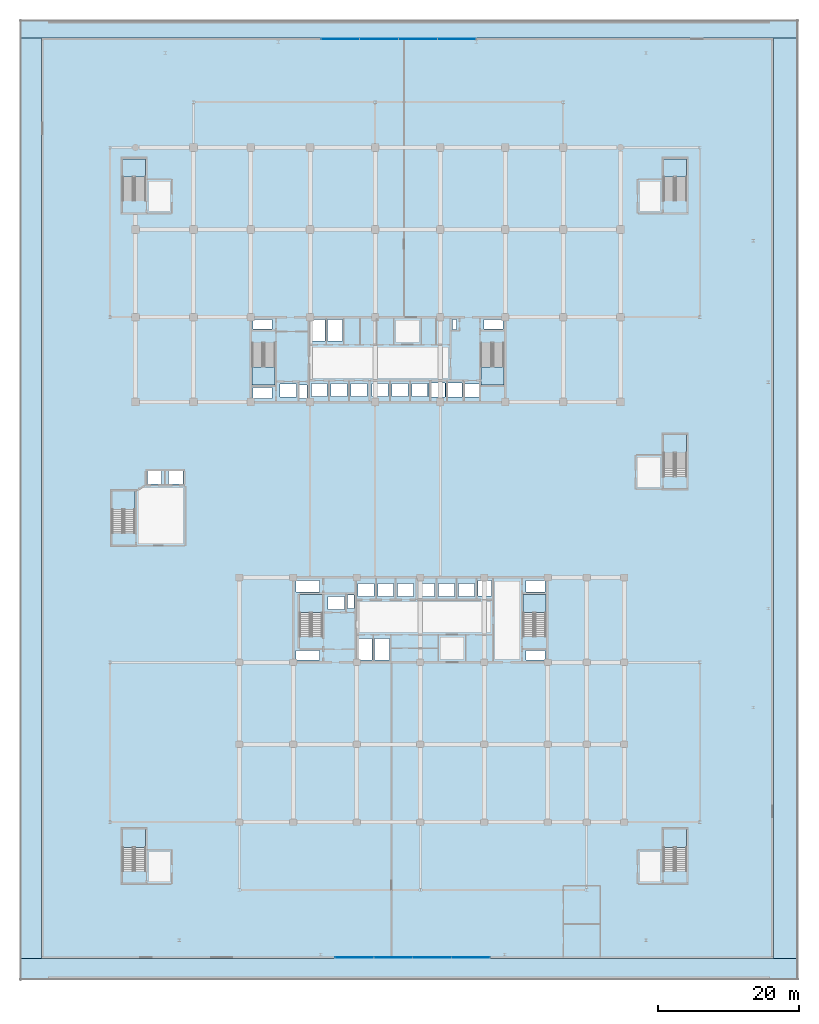
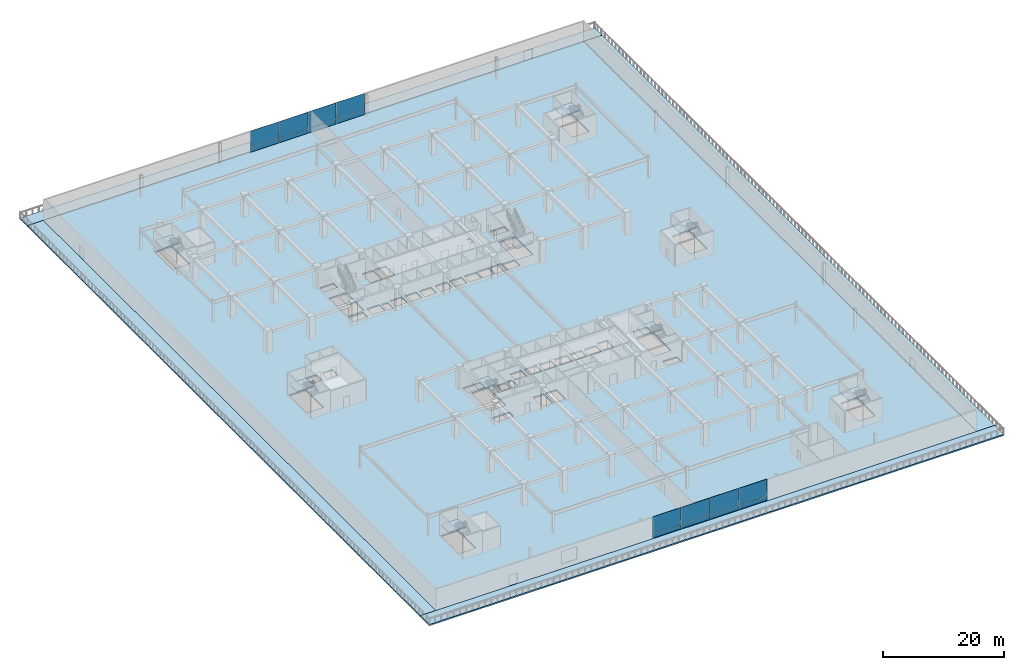
# One storey, part 17 of 45: 16 plates, 15 slabs, 12 elements without a shape of their own.
"""IFC4 building model written with IfcOpenShell, lengths in metres."""

from ifc_helpers import new_model, si_unit, direction, frame, origin, origin_2d, place, context, subcontext, project, spatial, polyline, rectangle, outline, extrude, material, layer, layer_set, type_object, element, aggregate, save


model = new_model("IFC4")

# Units and contexts
model_context = context("Model", 3, precision=1e-05, world=origin(), true_north=direction((0.0, 1.0)))
body_context = subcontext(model_context, "Body", "Model", "MODEL_VIEW")
ifc_project = project(units=[si_unit("LENGTHUNIT", "METRE"), si_unit("AREAUNIT", "SQUARE_METRE"), si_unit("VOLUMEUNIT", "CUBIC_METRE"), si_unit("PLANEANGLEUNIT", "RADIAN"), si_unit("MASSUNIT", "GRAM", prefix="KILO")], contexts=[model_context])

# Site, building, storey
site_placement = place(None, origin())
site = spatial("IfcSite", under=ifc_project, at=site_placement, CompositionType="ELEMENT")
building_placement = place(site_placement, origin())
building = spatial("IfcBuilding", under=site, at=building_placement, Name="Korimba Cascade Residences", CompositionType="ELEMENT")
storey_placement = place(building_placement, frame((0.0, 0.0, 5.39990234375)))
storey = spatial("IfcBuildingStorey", under=building, at=storey_placement, Name="L01", CompositionType="ELEMENT", Elevation=5.39990234375)

# Curtain wall, plates
ifc_material_1 = material(Name="Anodised Aluminium Curtain Wall Framing", Category="aluminium")
ifc_layer_1 = layer(ifc_material_1, 0.179931640625)
ifc_layer_set_1 = layer_set([ifc_layer_1], Name="Anodised Aluminium Curtain Wall Framing")
curtain_wall_type = type_object("IfcCurtainWallType", Name="CW-POD-SYS1", PredefinedType="NOTDEFINED", material=ifc_layer_set_1)
curtain_wall_1_placement = place(storey_placement, origin())
curtain_wall_1 = element("IfcCurtainWall", 1, at=curtain_wall_1_placement, inside=storey, type_object=curtain_wall_type, Name="L01 Curtain Wall CW-L01-POD-S", PredefinedType="NOTDEFINED")
ifc_material_2 = material(Name="Insulated Stone-Tone Spandrel Panel", Category="masonry")
ifc_layer_2 = layer(ifc_material_2, 0.0400390625)
ifc_layer_set_2 = layer_set([ifc_layer_2], Name="Insulated Stone-Tone Spandrel Panel")
plate_type_1 = type_object("IfcPlateType", Name="CWP-SPN-40", PredefinedType="USERDEFINED", material=ifc_layer_set_2)
plate_1_placement = place(storey_placement, frame((90.77001953125, -23.35009765625, 0.000244140625), z_axis=(0.0, 0.0, 1.0), x_axis=(1.0, 0.0, 0.0)))
plate_1 = element("IfcPlate", 2, at=plate_1_placement, type_object=plate_type_1, Name="CW-L01-POD-S Spandrel Panel 1", ObjectType="SPANDREL", PredefinedType="USERDEFINED", context=body_context, shape_type="SweptSolid", body=[
    extrude(rectangle(XDim=5.409912109375, YDim=0.0400390625, at=origin_2d()), origin(), (0.0, 0.0, 1.0), 0.89990234375),
])
plate_2_placement = place(storey_placement, frame((96.25, -23.35009765625, 0.000244140625), z_axis=(0.0, 0.0, 1.0), x_axis=(1.0, 0.0, 0.0)))
plate_2 = element("IfcPlate", 3, at=plate_2_placement, type_object=plate_type_1, Name="CW-L01-POD-S Spandrel Panel 2", ObjectType="SPANDREL", PredefinedType="USERDEFINED", context=body_context, shape_type="SweptSolid", body=[
    extrude(rectangle(XDim=5.449951171875, YDim=0.0400390625, at=origin_2d()), origin(), (0.0, 0.0, 1.0), 0.89990234375),
])
plate_3_placement = place(storey_placement, frame((101.75, -23.35009765625, 0.000244140625), z_axis=(0.0, 0.0, 1.0), x_axis=(1.0, 0.0, 0.0)))
plate_3 = element("IfcPlate", 4, at=plate_3_placement, type_object=plate_type_1, Name="CW-L01-POD-S Spandrel Panel 3", ObjectType="SPANDREL", PredefinedType="USERDEFINED", context=body_context, shape_type="SweptSolid", body=[
    extrude(rectangle(XDim=5.449951171875, YDim=0.0400390625, at=origin_2d()), origin(), (0.0, 0.0, 1.0), 0.89990234375),
])
plate_4_placement = place(storey_placement, frame((107.22998046875, -23.35009765625, 0.000244140625), z_axis=(0.0, 0.0, 1.0), x_axis=(1.0, 0.0, 0.0)))
plate_4 = element("IfcPlate", 5, at=plate_4_placement, type_object=plate_type_1, Name="CW-L01-POD-S Spandrel Panel 4", ObjectType="SPANDREL", PredefinedType="USERDEFINED", context=body_context, shape_type="SweptSolid", body=[
    extrude(rectangle(XDim=5.409912109375, YDim=0.0400390625, at=origin_2d()), origin(), (0.0, 0.0, 1.0), 0.89990234375),
])

curtain_wall_2_placement = place(storey_placement, origin())
curtain_wall_2 = element("IfcCurtainWall", 6, at=curtain_wall_2_placement, inside=storey, type_object=curtain_wall_type, Name="L01 Curtain Wall CW-L01-POD-N", PredefinedType="NOTDEFINED")
plate_5_placement = place(storey_placement, frame((105.22998046875, 106.550048828125, 0.000244140625), z_axis=(0.0, 0.0, 1.0), x_axis=(-1.0, 0.0, 0.0)))
plate_5 = element("IfcPlate", 7, at=plate_5_placement, type_object=plate_type_1, Name="CW-L01-POD-N Spandrel Panel 1", ObjectType="SPANDREL", PredefinedType="USERDEFINED", context=body_context, shape_type="SweptSolid", body=[
    extrude(rectangle(XDim=5.409912109375, YDim=0.0400390625, at=origin_2d()), origin(), (0.0, 0.0, 1.0), 0.89990234375),
])
plate_6_placement = place(storey_placement, frame((99.75, 106.550048828125, 0.000244140625), z_axis=(0.0, 0.0, 1.0), x_axis=(-1.0, 0.0, 0.0)))
plate_6 = element("IfcPlate", 8, at=plate_6_placement, type_object=plate_type_1, Name="CW-L01-POD-N Spandrel Panel 2", ObjectType="SPANDREL", PredefinedType="USERDEFINED", context=body_context, shape_type="SweptSolid", body=[
    extrude(rectangle(XDim=5.449951171875, YDim=0.0400390625, at=origin_2d()), origin(), (0.0, 0.0, 1.0), 0.89990234375),
])
plate_7_placement = place(storey_placement, frame((94.25, 106.550048828125, 0.000244140625), z_axis=(0.0, 0.0, 1.0), x_axis=(-1.0, 0.0, 0.0)))
plate_7 = element("IfcPlate", 9, at=plate_7_placement, type_object=plate_type_1, Name="CW-L01-POD-N Spandrel Panel 3", ObjectType="SPANDREL", PredefinedType="USERDEFINED", context=body_context, shape_type="SweptSolid", body=[
    extrude(rectangle(XDim=5.449951171875, YDim=0.0400390625, at=origin_2d()), origin(), (0.0, 0.0, 1.0), 0.89990234375),
])
plate_8_placement = place(storey_placement, frame((88.77001953125, 106.550048828125, 0.000244140625), z_axis=(0.0, 0.0, 1.0), x_axis=(-1.0, 0.0, 0.0)))
plate_8 = element("IfcPlate", 10, at=plate_8_placement, type_object=plate_type_1, Name="CW-L01-POD-N Spandrel Panel 4", ObjectType="SPANDREL", PredefinedType="USERDEFINED", context=body_context, shape_type="SweptSolid", body=[
    extrude(rectangle(XDim=5.409912109375, YDim=0.0400390625, at=origin_2d()), origin(), (0.0, 0.0, 1.0), 0.89990234375),
])

# Plate
ifc_material_3 = material(Name="Low-E Double Glazing Unit", Category="glass")
ifc_layer_3 = layer(ifc_material_3, 0.028076171875)
ifc_layer_set_3 = layer_set([ifc_layer_3], Name="Low-E Double Glazing Unit")
plate_type_2 = type_object("IfcPlateType", Name="CWP-VIS-28", PredefinedType="CURTAIN_PANEL", material=ifc_layer_set_3)
plate_9_placement = place(storey_placement, frame((90.77001953125, -23.35009765625, 0.900146484375), z_axis=(0.0, 0.0, 1.0), x_axis=(1.0, 0.0, 0.0)))
plate_9 = element("IfcPlate", 11, at=plate_9_placement, type_object=plate_type_2, Name="CW-L01-POD-S Vision Glass Panel 1", PredefinedType="CURTAIN_PANEL", context=body_context, shape_type="SweptSolid", body=[
    extrude(rectangle(XDim=5.409912109375, YDim=0.028076171875, at=origin_2d()), origin(), (0.0, 0.0, 1.0), 3.39990234375),
])

plate_10_placement = place(storey_placement, frame((96.25, -23.35009765625, 0.900146484375), z_axis=(0.0, 0.0, 1.0), x_axis=(1.0, 0.0, 0.0)))
plate_10 = element("IfcPlate", 12, at=plate_10_placement, type_object=plate_type_2, Name="CW-L01-POD-S Vision Glass Panel 2", PredefinedType="CURTAIN_PANEL", context=body_context, shape_type="SweptSolid", body=[
    extrude(rectangle(XDim=5.449951171875, YDim=0.028076171875, at=origin_2d()), origin(), (0.0, 0.0, 1.0), 3.39990234375),
])

plate_11_placement = place(storey_placement, frame((101.75, -23.35009765625, 0.900146484375), z_axis=(0.0, 0.0, 1.0), x_axis=(1.0, 0.0, 0.0)))
plate_11 = element("IfcPlate", 13, at=plate_11_placement, type_object=plate_type_2, Name="CW-L01-POD-S Vision Glass Panel 3", PredefinedType="CURTAIN_PANEL", context=body_context, shape_type="SweptSolid", body=[
    extrude(rectangle(XDim=5.449951171875, YDim=0.028076171875, at=origin_2d()), origin(), (0.0, 0.0, 1.0), 3.39990234375),
])

plate_12_placement = place(storey_placement, frame((107.22998046875, -23.35009765625, 0.900146484375), z_axis=(0.0, 0.0, 1.0), x_axis=(1.0, 0.0, 0.0)))
plate_12 = element("IfcPlate", 14, at=plate_12_placement, type_object=plate_type_2, Name="CW-L01-POD-S Vision Glass Panel 4", PredefinedType="CURTAIN_PANEL", context=body_context, shape_type="SweptSolid", body=[
    extrude(rectangle(XDim=5.409912109375, YDim=0.028076171875, at=origin_2d()), origin(), (0.0, 0.0, 1.0), 3.39990234375),
])

aggregate(curtain_wall_1, [plate_1, plate_9, plate_2, plate_10, plate_3, plate_11, plate_4, plate_12])

plate_13_placement = place(storey_placement, frame((105.22998046875, 106.550048828125, 0.900146484375), z_axis=(0.0, 0.0, 1.0), x_axis=(-1.0, 0.0, 0.0)))
plate_13 = element("IfcPlate", 15, at=plate_13_placement, type_object=plate_type_2, Name="CW-L01-POD-N Vision Glass Panel 1", PredefinedType="CURTAIN_PANEL", context=body_context, shape_type="SweptSolid", body=[
    extrude(rectangle(XDim=5.409912109375, YDim=0.028076171875, at=origin_2d()), origin(), (0.0, 0.0, 1.0), 3.39990234375),
])

plate_14_placement = place(storey_placement, frame((99.75, 106.550048828125, 0.900146484375), z_axis=(0.0, 0.0, 1.0), x_axis=(-1.0, 0.0, 0.0)))
plate_14 = element("IfcPlate", 16, at=plate_14_placement, type_object=plate_type_2, Name="CW-L01-POD-N Vision Glass Panel 2", PredefinedType="CURTAIN_PANEL", context=body_context, shape_type="SweptSolid", body=[
    extrude(rectangle(XDim=5.449951171875, YDim=0.028076171875, at=origin_2d()), origin(), (0.0, 0.0, 1.0), 3.39990234375),
])

plate_15_placement = place(storey_placement, frame((94.25, 106.550048828125, 0.900146484375), z_axis=(0.0, 0.0, 1.0), x_axis=(-1.0, 0.0, 0.0)))
plate_15 = element("IfcPlate", 17, at=plate_15_placement, type_object=plate_type_2, Name="CW-L01-POD-N Vision Glass Panel 3", PredefinedType="CURTAIN_PANEL", context=body_context, shape_type="SweptSolid", body=[
    extrude(rectangle(XDim=5.449951171875, YDim=0.028076171875, at=origin_2d()), origin(), (0.0, 0.0, 1.0), 3.39990234375),
])

plate_16_placement = place(storey_placement, frame((88.77001953125, 106.550048828125, 0.900146484375), z_axis=(0.0, 0.0, 1.0), x_axis=(-1.0, 0.0, 0.0)))
plate_16 = element("IfcPlate", 18, at=plate_16_placement, type_object=plate_type_2, Name="CW-L01-POD-N Vision Glass Panel 4", PredefinedType="CURTAIN_PANEL", context=body_context, shape_type="SweptSolid", body=[
    extrude(rectangle(XDim=5.409912109375, YDim=0.028076171875, at=origin_2d()), origin(), (0.0, 0.0, 1.0), 3.39990234375),
])

aggregate(curtain_wall_2, [plate_5, plate_13, plate_6, plate_14, plate_7, plate_15, plate_8, plate_16])

# Stair, slab
ifc_material_4 = material(Name="Concrete C50/60", Category="concrete")
stair_type_1 = type_object("IfcStairType", Name="STR-W1-26R-1769", PredefinedType="HALF_TURN_STAIR", material=ifc_material_4)
stair_1_placement = place(storey_placement, origin())
stair_1 = element("IfcStair", 19, at=stair_1_placement, inside=storey, type_object=stair_type_1, Name="L01 Tower 1 West Fire Stair ST-W1", PredefinedType="HALF_TURN_STAIR")
ifc_layer_4 = layer(ifc_material_4, 0.199951171875)
ifc_layer_set_4 = layer_set([ifc_layer_4], Name="Concrete C50/60")
slab_type_1 = type_object("IfcSlabType", Name="SLB-LND-220", PredefinedType="LANDING", material=ifc_layer_set_4)
slab_1_placement = place(storey_placement, frame((0.0, 0.0, 2.10009765625)))
slab_1 = element("IfcSlab", 20, at=slab_1_placement, type_object=slab_type_1, Name="ST-W1 landing 1", PredefinedType="LANDING", context=body_context, shape_type="SweptSolid", body=[
    extrude(outline(polyline([(76.300048828125, 60.18994140625), (76.300048828125, 57.60009765625), (79.5400390625, 57.60009765625), (79.5400390625, 60.18994140625), (76.300048828125, 60.18994140625)])), origin(), (0.0, 0.0, 1.0), 0.199951171875),
])
aggregate(stair_1, [slab_1])

stair_type_2 = type_object("IfcStairType", Name="STR-W2-26R-1769", PredefinedType="HALF_TURN_STAIR", material=ifc_material_4)
stair_2_placement = place(storey_placement, origin())
stair_2 = element("IfcStair", 21, at=stair_2_placement, inside=storey, type_object=stair_type_2, Name="L01 Tower 1 East Fire Stair ST-W2", PredefinedType="HALF_TURN_STAIR")
slab_2_placement = place(storey_placement, frame((0.0, 0.0, 2.10009765625)))
slab_2 = element("IfcSlab", 22, at=slab_2_placement, type_object=slab_type_1, Name="ST-W2 landing 1", PredefinedType="LANDING", context=body_context, shape_type="SweptSolid", body=[
    extrude(outline(polyline([(108.659912109375, 60.18994140625), (108.659912109375, 57.60009765625), (111.89990234375, 57.60009765625), (111.89990234375, 60.18994140625), (108.659912109375, 60.18994140625)])), origin(), (0.0, 0.0, 1.0), 0.199951171875),
])
aggregate(stair_2, [slab_2])

stair_type_3 = type_object("IfcStairType", Name="STR-E1-26R-1769", PredefinedType="HALF_TURN_STAIR", material=ifc_material_4)
stair_3_placement = place(storey_placement, origin())
stair_3 = element("IfcStair", 23, at=stair_3_placement, inside=storey, type_object=stair_type_3, Name="L01 Tower 2 West Fire Stair ST-E1", PredefinedType="HALF_TURN_STAIR")
slab_3_placement = place(storey_placement, frame((0.0, 0.0, 2.10009765625)))
slab_3 = element("IfcSlab", 24, at=slab_3_placement, type_object=slab_type_1, Name="ST-E1 landing 1", PredefinedType="LANDING", context=body_context, shape_type="SweptSolid", body=[
    extrude(outline(polyline([(86.239990234375, 25.409912109375), (86.239990234375, 28.0), (83.0, 28.0), (83.0, 25.409912109375), (86.239990234375, 25.409912109375)])), origin(), (0.0, 0.0, 1.0), 0.199951171875),
])
aggregate(stair_3, [slab_3])

stair_type_4 = type_object("IfcStairType", Name="STR-E2-26R-1769", PredefinedType="HALF_TURN_STAIR", material=ifc_material_4)
stair_4_placement = place(storey_placement, origin())
stair_4 = element("IfcStair", 25, at=stair_4_placement, inside=storey, type_object=stair_type_4, Name="L01 Tower 2 East Fire Stair ST-E2", PredefinedType="HALF_TURN_STAIR")
slab_4_placement = place(storey_placement, frame((0.0, 0.0, 2.10009765625)))
slab_4 = element("IfcSlab", 26, at=slab_4_placement, type_object=slab_type_1, Name="ST-E2 landing 1", PredefinedType="LANDING", context=body_context, shape_type="SweptSolid", body=[
    extrude(outline(polyline([(117.840087890625, 25.409912109375), (117.840087890625, 28.0), (114.60009765625, 28.0), (114.60009765625, 25.409912109375), (117.840087890625, 25.409912109375)])), origin(), (0.0, 0.0, 1.0), 0.199951171875),
])
aggregate(stair_4, [slab_4])

stair_type_5 = type_object("IfcStairType", Name="STR-P1-26R-1769", PredefinedType="HALF_TURN_STAIR", material=ifc_material_4)
stair_5_placement = place(storey_placement, origin())
stair_5 = element("IfcStair", 27, at=stair_5_placement, inside=storey, type_object=stair_type_5, Name="L01 Podium West Fire Stair ST-P1", PredefinedType="HALF_TURN_STAIR")
slab_5_placement = place(storey_placement, frame((0.0, 0.0, 2.10009765625)))
slab_5 = element("IfcSlab", 28, at=slab_5_placement, type_object=slab_type_1, Name="ST-P1 landing 1", PredefinedType="LANDING", context=body_context, shape_type="SweptSolid", body=[
    extrude(outline(polyline([(59.739990234375, 40.010009765625), (59.739990234375, 42.60009765625), (56.5, 42.60009765625), (56.5, 40.010009765625), (59.739990234375, 40.010009765625)])), origin(), (0.0, 0.0, 1.0), 0.199951171875),
])
aggregate(stair_5, [slab_5])

stair_type_6 = type_object("IfcStairType", Name="STR-P2-26R-1769", PredefinedType="HALF_TURN_STAIR", material=ifc_material_4)
stair_6_placement = place(storey_placement, origin())
stair_6 = element("IfcStair", 29, at=stair_6_placement, inside=storey, type_object=stair_type_6, Name="L01 Podium East Fire Stair ST-P2", PredefinedType="HALF_TURN_STAIR")
slab_6_placement = place(storey_placement, frame((0.0, 0.0, 2.10009765625)))
slab_6 = element("IfcSlab", 30, at=slab_6_placement, type_object=slab_type_1, Name="ST-P2 landing 1", PredefinedType="LANDING", context=body_context, shape_type="SweptSolid", body=[
    extrude(outline(polyline([(137.739990234375, 48.010009765625), (137.739990234375, 50.60009765625), (134.5, 50.60009765625), (134.5, 48.010009765625), (137.739990234375, 48.010009765625)])), origin(), (0.0, 0.0, 1.0), 0.199951171875),
])
aggregate(stair_6, [slab_6])

stair_type_7 = type_object("IfcStairType", Name="STR-P3-26R-1769", PredefinedType="HALF_TURN_STAIR", material=ifc_material_4)
stair_7_placement = place(storey_placement, origin())
stair_7 = element("IfcStair", 31, at=stair_7_placement, inside=storey, type_object=stair_type_7, Name="L01 Podium South-West Corner Fire Stair ST-P3", PredefinedType="HALF_TURN_STAIR")
slab_7_placement = place(storey_placement, frame((0.0, 0.0, 2.10009765625)))
slab_7 = element("IfcSlab", 32, at=slab_7_placement, type_object=slab_type_1, Name="ST-P3 landing 1", PredefinedType="LANDING", context=body_context, shape_type="SweptSolid", body=[
    extrude(outline(polyline([(61.239990234375, -7.7900390625), (61.239990234375, -5.199951171875), (58.0, -5.199951171875), (58.0, -7.7900390625), (61.239990234375, -7.7900390625)])), origin(), (0.0, 0.0, 1.0), 0.199951171875),
])
aggregate(stair_7, [slab_7])

stair_type_8 = type_object("IfcStairType", Name="STR-P4-26R-1769", PredefinedType="HALF_TURN_STAIR", material=ifc_material_4)
stair_8_placement = place(storey_placement, origin())
stair_8 = element("IfcStair", 33, at=stair_8_placement, inside=storey, type_object=stair_type_8, Name="L01 Podium North-East Corner Fire Stair ST-P4", PredefinedType="HALF_TURN_STAIR")
slab_8_placement = place(storey_placement, frame((0.0, 0.0, 2.10009765625)))
slab_8 = element("IfcSlab", 34, at=slab_8_placement, type_object=slab_type_1, Name="ST-P4 landing 1", PredefinedType="LANDING", context=body_context, shape_type="SweptSolid", body=[
    extrude(outline(polyline([(137.739990234375, 87.010009765625), (137.739990234375, 89.60009765625), (134.5, 89.60009765625), (134.5, 87.010009765625), (137.739990234375, 87.010009765625)])), origin(), (0.0, 0.0, 1.0), 0.199951171875),
])
aggregate(stair_8, [slab_8])

stair_type_9 = type_object("IfcStairType", Name="STR-P5-26R-1769", PredefinedType="HALF_TURN_STAIR", material=ifc_material_4)
stair_9_placement = place(storey_placement, origin())
stair_9 = element("IfcStair", 35, at=stair_9_placement, inside=storey, type_object=stair_type_9, Name="L01 Podium North-West Corner Fire Stair ST-P5", PredefinedType="HALF_TURN_STAIR")
slab_9_placement = place(storey_placement, frame((0.0, 0.0, 2.10009765625)))
slab_9 = element("IfcSlab", 36, at=slab_9_placement, type_object=slab_type_1, Name="ST-P5 landing 1", PredefinedType="LANDING", context=body_context, shape_type="SweptSolid", body=[
    extrude(outline(polyline([(61.239990234375, 87.010009765625), (61.239990234375, 89.60009765625), (58.0, 89.60009765625), (58.0, 87.010009765625), (61.239990234375, 87.010009765625)])), origin(), (0.0, 0.0, 1.0), 0.199951171875),
])
aggregate(stair_9, [slab_9])

stair_type_10 = type_object("IfcStairType", Name="STR-P6-26R-1769", PredefinedType="HALF_TURN_STAIR", material=ifc_material_4)
stair_10_placement = place(storey_placement, origin())
stair_10 = element("IfcStair", 37, at=stair_10_placement, inside=storey, type_object=stair_type_10, Name="L01 Podium South-East Corner Fire Stair ST-P6", PredefinedType="HALF_TURN_STAIR")
slab_10_placement = place(storey_placement, frame((0.0, 0.0, 2.10009765625)))
slab_10 = element("IfcSlab", 38, at=slab_10_placement, type_object=slab_type_1, Name="ST-P6 landing 1", PredefinedType="LANDING", context=body_context, shape_type="SweptSolid", body=[
    extrude(outline(polyline([(137.739990234375, -7.7900390625), (137.739990234375, -5.199951171875), (134.5, -5.199951171875), (134.5, -7.7900390625), (137.739990234375, -7.7900390625)])), origin(), (0.0, 0.0, 1.0), 0.199951171875),
])
aggregate(stair_10, [slab_10])

# Slabs
ifc_layer_5 = layer(ifc_material_4, 0.300048828125)
ifc_layer_set_5 = layer_set([ifc_layer_5], Name="Concrete C50/60")
slab_type_2 = type_object("IfcSlabType", Name="SLB-POD-300", PredefinedType="FLOOR", material=ifc_layer_set_5)
slab_11_placement = place(storey_placement, frame((0.0, 0.0, -0.2998046875)))
element("IfcSlab", 39, at=slab_11_placement, inside=storey, type_object=slab_type_2, Name="L01 Podium Floor Slab", PredefinedType="FLOOR", context=body_context, shape_type="SweptSolid", body=[
    extrude(outline(polyline([(46.5, -23.5), (150.0, -23.5), (150.0, 106.699951171875), (46.5, 106.699951171875), (46.5, -23.5)]), holes=[polyline([(76.300048828125, 63.514892578125), (76.300048828125, 57.60009765625), (79.5400390625, 57.60009765625), (79.5400390625, 63.514892578125), (76.300048828125, 63.514892578125)]), polyline([(108.659912109375, 63.514892578125), (108.659912109375, 57.60009765625), (111.89990234375, 57.60009765625), (111.89990234375, 63.514892578125), (108.659912109375, 63.514892578125)]), polyline([(86.239990234375, 22.0849609375), (86.239990234375, 28.0), (83.0, 28.0), (83.0, 22.0849609375), (86.239990234375, 22.0849609375)]), polyline([(117.840087890625, 22.0849609375), (117.840087890625, 28.0), (114.60009765625, 28.0), (114.60009765625, 22.0849609375), (117.840087890625, 22.0849609375)]), polyline([(59.739990234375, 36.68505859375), (59.739990234375, 42.60009765625), (56.5, 42.60009765625), (56.5, 36.68505859375), (59.739990234375, 36.68505859375)]), polyline([(137.739990234375, 44.68505859375), (137.739990234375, 50.60009765625), (134.5, 50.60009765625), (134.5, 44.68505859375), (137.739990234375, 44.68505859375)]), polyline([(61.239990234375, -11.114990234375), (61.239990234375, -5.199951171875), (58.0, -5.199951171875), (58.0, -11.114990234375), (61.239990234375, -11.114990234375)]), polyline([(137.739990234375, 83.68505859375), (137.739990234375, 89.60009765625), (134.5, 89.60009765625), (134.5, 83.68505859375), (137.739990234375, 83.68505859375)]), polyline([(61.239990234375, 83.68505859375), (61.239990234375, 89.60009765625), (58.0, 89.60009765625), (58.0, 83.68505859375), (61.239990234375, 83.68505859375)]), polyline([(137.739990234375, -11.114990234375), (137.739990234375, -5.199951171875), (134.5, -5.199951171875), (134.5, -11.114990234375), (137.739990234375, -11.114990234375)]), polyline([(80.22998046875, 55.8798828125), (82.570068359375, 55.8798828125), (82.570068359375, 57.719970703125), (80.22998046875, 57.719970703125), (80.22998046875, 55.8798828125)]), polyline([(106.080078125, 55.8798828125), (108.419921875, 55.8798828125), (108.419921875, 57.719970703125), (106.080078125, 57.719970703125), (106.080078125, 55.8798828125)]), polyline([(87.030029296875, 25.8798828125), (89.3701171875, 25.8798828125), (89.3701171875, 27.719970703125), (87.030029296875, 27.719970703125), (87.030029296875, 25.8798828125)]), polyline([(84.679931640625, 55.97998046875), (86.919921875, 55.97998046875), (86.919921875, 57.820068359375), (84.679931640625, 57.820068359375), (84.679931640625, 55.97998046875)]), polyline([(87.47998046875, 55.97998046875), (89.719970703125, 55.97998046875), (89.719970703125, 57.820068359375), (87.47998046875, 57.820068359375), (87.47998046875, 55.97998046875)]), polyline([(90.280029296875, 55.97998046875), (92.52001953125, 55.97998046875), (92.52001953125, 57.820068359375), (90.280029296875, 57.820068359375), (90.280029296875, 55.97998046875)]), polyline([(93.280029296875, 55.97998046875), (95.52001953125, 55.97998046875), (95.52001953125, 57.820068359375), (93.280029296875, 57.820068359375), (93.280029296875, 55.97998046875)]), polyline([(96.080078125, 55.97998046875), (98.320068359375, 55.97998046875), (98.320068359375, 57.820068359375), (96.080078125, 57.820068359375), (96.080078125, 55.97998046875)]), polyline([(98.8798828125, 55.97998046875), (101.1201171875, 55.97998046875), (101.1201171875, 57.820068359375), (98.8798828125, 57.820068359375), (98.8798828125, 55.97998046875)]), polyline([(101.304931640625, 55.8798828125), (103.594970703125, 55.8798828125), (103.594970703125, 57.919921875), (101.304931640625, 57.919921875), (101.304931640625, 55.8798828125)]), polyline([(103.705078125, 55.8798828125), (105.9951171875, 55.8798828125), (105.9951171875, 57.919921875), (103.705078125, 57.919921875), (103.705078125, 55.8798828125)]), polyline([(91.280029296875, 27.679931640625), (93.52001953125, 27.679931640625), (93.52001953125, 29.52001953125), (91.280029296875, 29.52001953125), (91.280029296875, 27.679931640625)]), polyline([(94.080078125, 27.679931640625), (96.320068359375, 27.679931640625), (96.320068359375, 29.52001953125), (94.080078125, 29.52001953125), (94.080078125, 27.679931640625)]), polyline([(96.8798828125, 27.679931640625), (99.1201171875, 27.679931640625), (99.1201171875, 29.52001953125), (96.8798828125, 29.52001953125), (96.8798828125, 27.679931640625)]), polyline([(99.8798828125, 27.679931640625), (102.1201171875, 27.679931640625), (102.1201171875, 29.52001953125), (99.8798828125, 29.52001953125), (99.8798828125, 27.679931640625)]), polyline([(102.679931640625, 27.679931640625), (104.919921875, 27.679931640625), (104.919921875, 29.52001953125), (102.679931640625, 29.52001953125), (102.679931640625, 27.679931640625)]), polyline([(105.47998046875, 27.679931640625), (107.719970703125, 27.679931640625), (107.719970703125, 29.52001953125), (105.47998046875, 29.52001953125), (105.47998046875, 27.679931640625)]), polyline([(61.47998046875, 43.580078125), (63.52001953125, 43.580078125), (63.52001953125, 45.419921875), (61.47998046875, 45.419921875), (61.47998046875, 43.580078125)]), polyline([(64.47998046875, 43.580078125), (66.52001953125, 43.580078125), (66.52001953125, 45.419921875), (64.47998046875, 45.419921875), (64.47998046875, 43.580078125)]), polyline([(82.97998046875, 55.679931640625), (84.080078125, 55.679931640625), (84.080078125, 57.6201171875), (82.97998046875, 57.6201171875), (82.97998046875, 55.679931640625)]), polyline([(76.39990234375, 65.56005859375), (79.10009765625, 65.56005859375), (79.10009765625, 66.8798828125), (76.39990234375, 66.8798828125), (76.39990234375, 65.56005859375)]), polyline([(76.39990234375, 55.679931640625), (79.10009765625, 55.679931640625), (79.10009765625, 57.239990234375), (76.39990234375, 57.239990234375), (76.39990234375, 55.679931640625)]), polyline([(84.530029296875, 63.820068359375), (86.6201171875, 63.820068359375), (86.6201171875, 66.8798828125), (84.530029296875, 66.8798828125), (84.530029296875, 63.820068359375)]), polyline([(86.97998046875, 63.820068359375), (89.070068359375, 63.820068359375), (89.070068359375, 66.8798828125), (86.97998046875, 66.8798828125), (86.97998046875, 63.820068359375)]), polyline([(104.6201171875, 65.4599609375), (105.179931640625, 65.4599609375), (105.179931640625, 66.8798828125), (104.6201171875, 66.8798828125), (104.6201171875, 65.4599609375)]), polyline([(109.080078125, 65.56005859375), (111.800048828125, 65.56005859375), (111.800048828125, 66.8798828125), (109.080078125, 66.8798828125), (109.080078125, 65.56005859375)]), polyline([(89.780029296875, 25.97998046875), (90.719970703125, 25.97998046875), (90.719970703125, 27.919921875), (89.780029296875, 27.919921875), (89.780029296875, 25.97998046875)]), polyline([(82.530029296875, 18.72998046875), (85.800048828125, 18.72998046875), (85.800048828125, 20.0400390625), (82.530029296875, 20.0400390625), (82.530029296875, 18.72998046875)]), polyline([(82.530029296875, 28.360107421875), (85.800048828125, 28.360107421875), (85.800048828125, 29.969970703125), (82.530029296875, 29.969970703125), (82.530029296875, 28.360107421875)]), polyline([(108.22998046875, 27.780029296875), (110.1201171875, 27.780029296875), (110.1201171875, 29.969970703125), (108.22998046875, 29.969970703125), (108.22998046875, 27.780029296875)]), polyline([(91.22998046875, 18.72998046875), (93.27001953125, 18.72998046875), (93.27001953125, 21.780029296875), (91.22998046875, 21.780029296875), (91.22998046875, 18.72998046875)]), polyline([(93.6298828125, 18.72998046875), (95.719970703125, 18.72998046875), (95.719970703125, 21.780029296875), (93.6298828125, 21.780029296875), (93.6298828125, 18.72998046875)]), polyline([(115.02001953125, 18.72998046875), (117.739990234375, 18.72998046875), (117.739990234375, 20.0400390625), (115.02001953125, 20.0400390625), (115.02001953125, 18.72998046875)]), polyline([(115.02001953125, 28.360107421875), (117.739990234375, 28.360107421875), (117.739990234375, 29.969970703125), (115.02001953125, 29.969970703125), (115.02001953125, 28.360107421875)])]), origin(), (0.0, 0.0, 1.0), 0.2998046875),
])
ifc_layer_6 = layer(ifc_material_4, 0.260009765625)
ifc_layer_set_6 = layer_set([ifc_layer_6], Name="Concrete C50/60")
slab_type_3 = type_object("IfcSlabType", Name="SLB-TER-260", PredefinedType="FLOOR", material=ifc_layer_set_6)
slab_12_placement = place(storey_placement, frame((0.0, 0.0, -0.260009765625)))
element("IfcSlab", 40, at=slab_12_placement, inside=storey, type_object=slab_type_3, Name="L01 Cascading Garden Terrace Slab S", PredefinedType="FLOOR", context=body_context, shape_type="SweptSolid", body=[
    extrude(outline(polyline([(43.5, -26.5), (153.5, -26.5), (153.5, -23.5), (43.5, -23.5), (43.5, -26.5)])), origin(), (0.0, 0.0, 1.0), 0.260009765625),
])
slab_13_placement = place(storey_placement, frame((0.0, 0.0, -0.260009765625)))
element("IfcSlab", 41, at=slab_13_placement, inside=storey, type_object=slab_type_3, Name="L01 Cascading Garden Terrace Slab N", PredefinedType="FLOOR", context=body_context, shape_type="SweptSolid", body=[
    extrude(outline(polyline([(43.5, 106.699951171875), (153.5, 106.699951171875), (153.5, 109.199951171875), (43.5, 109.199951171875), (43.5, 106.699951171875)])), origin(), (0.0, 0.0, 1.0), 0.260009765625),
])
slab_14_placement = place(storey_placement, frame((0.0, 0.0, -0.260009765625)))
element("IfcSlab", 42, at=slab_14_placement, inside=storey, type_object=slab_type_3, Name="L01 Cascading Garden Terrace Slab W", PredefinedType="FLOOR", context=body_context, shape_type="SweptSolid", body=[
    extrude(outline(polyline([(43.5, -23.5), (46.5, -23.5), (46.5, 106.699951171875), (43.5, 106.699951171875), (43.5, -23.5)])), origin(), (0.0, 0.0, 1.0), 0.260009765625),
])
slab_15_placement = place(storey_placement, frame((0.0, 0.0, -0.260009765625)))
element("IfcSlab", 43, at=slab_15_placement, inside=storey, type_object=slab_type_3, Name="L01 Cascading Garden Terrace Slab E", PredefinedType="FLOOR", context=body_context, shape_type="SweptSolid", body=[
    extrude(outline(polyline([(150.0, -23.5), (153.5, -23.5), (153.5, 106.699951171875), (150.0, 106.699951171875), (150.0, -23.5)])), origin(), (0.0, 0.0, 1.0), 0.260009765625),
])

save(model, "model.ifc")
